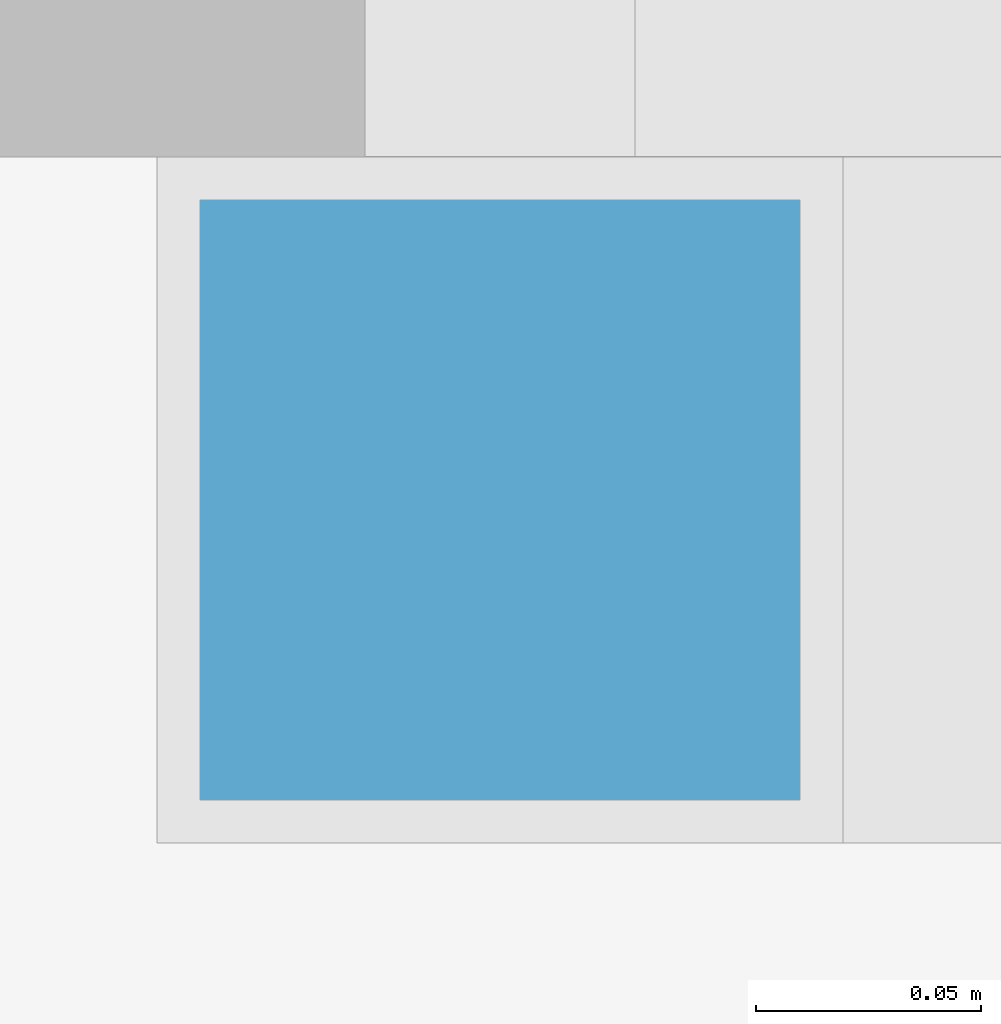
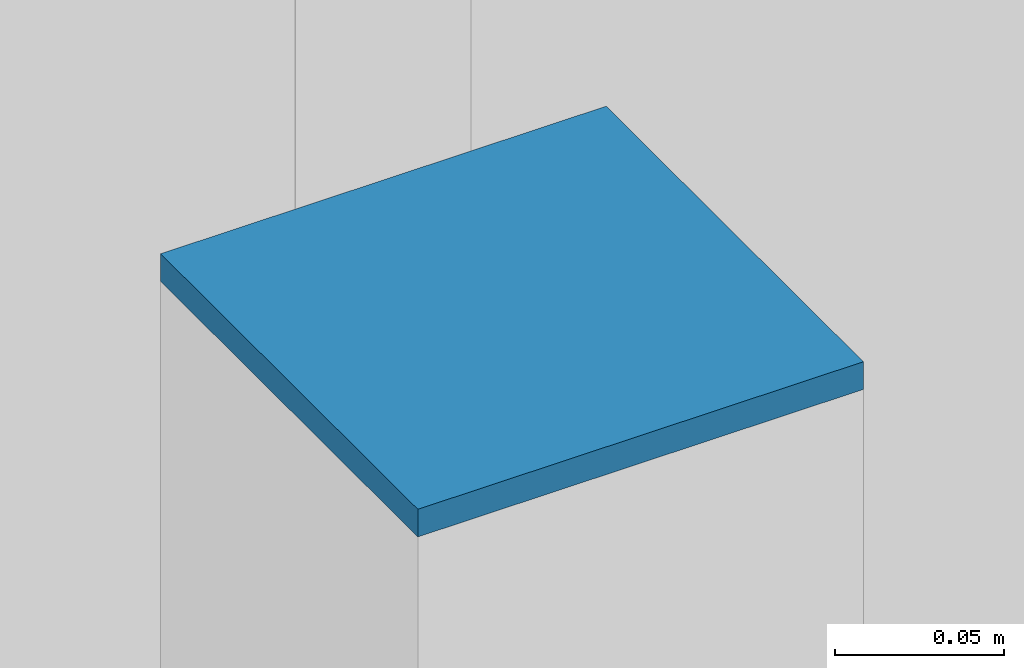
# One storey, part 64 of 93: 1 discrete accessory.
"""IFC4 building model written with IfcOpenShell, lengths in metres."""

from ifc_helpers import new_model, si_unit, direction, frame, origin, origin_2d, place, context, subcontext, project, spatial, rectangle, extrude, material, material_profile, profile_set, type_object, element, save


model = new_model("IFC4")

# Units and contexts
model_context = context("Model", 3, precision=1e-05, world=origin(), true_north=direction((0.0, 1.0)))
body_context = subcontext(model_context, "Body", "Model", "MODEL_VIEW")
ifc_project = project(units=[si_unit("LENGTHUNIT", "METRE"), si_unit("AREAUNIT", "SQUARE_METRE"), si_unit("VOLUMEUNIT", "CUBIC_METRE"), si_unit("PLANEANGLEUNIT", "RADIAN"), si_unit("MASSUNIT", "GRAM", prefix="KILO")], contexts=[model_context])

# Site, building, storey
site_placement = place(None, origin())
site = spatial("IfcSite", under=ifc_project, at=site_placement, CompositionType="ELEMENT")
building_placement = place(site_placement, origin())
building = spatial("IfcBuilding", under=site, at=building_placement, Name="Verrick Yard Athletic Hall", CompositionType="ELEMENT")
storey_placement = place(building_placement, frame((0.0, 0.0, 8.800048828125)))
storey = spatial("IfcBuildingStorey", under=building, at=storey_placement, Name="L02", CompositionType="ELEMENT", Elevation=8.800048828125)

# Discrete accessory
ifc_material = material(Name="Structural steel 350W (CSA G40.21)", Category="steel")
ifc_material_profile = material_profile(ifc_material, rectangle(XDim=0.15234375, YDim=0.15234375, at=origin_2d()), Name="STR End cap plate 152x152x9.5")
ifc_profile_set = profile_set([ifc_material_profile], Name="Structural steel 350W (CSA G40.21)")
discrete_accessory_type = type_object("IfcDiscreteAccessoryType", Name="STR End cap plate 152x152x9.5", PredefinedType="BRACKET", material=ifc_profile_set)
discrete_accessory_placement = place(storey_placement, frame((28.0, 107.50537109375, 5.054443359375), z_axis=(0.0, 0.0, 1.0), x_axis=(1.0, 0.0, 0.0)))
element("IfcDiscreteAccessory", 1, at=discrete_accessory_placement, inside=storey, type_object=discrete_accessory_type, Name="End cap HB-GP-BN-0 B", PredefinedType="BRACKET", context=body_context, shape_type="SweptSolid", body=[
    extrude(rectangle(XDim=0.15234375, YDim=0.15234375, at=origin_2d()), origin(), (0.0, 0.0, 1.0), 0.010009765625),
])

save(model, "model.ifc")
